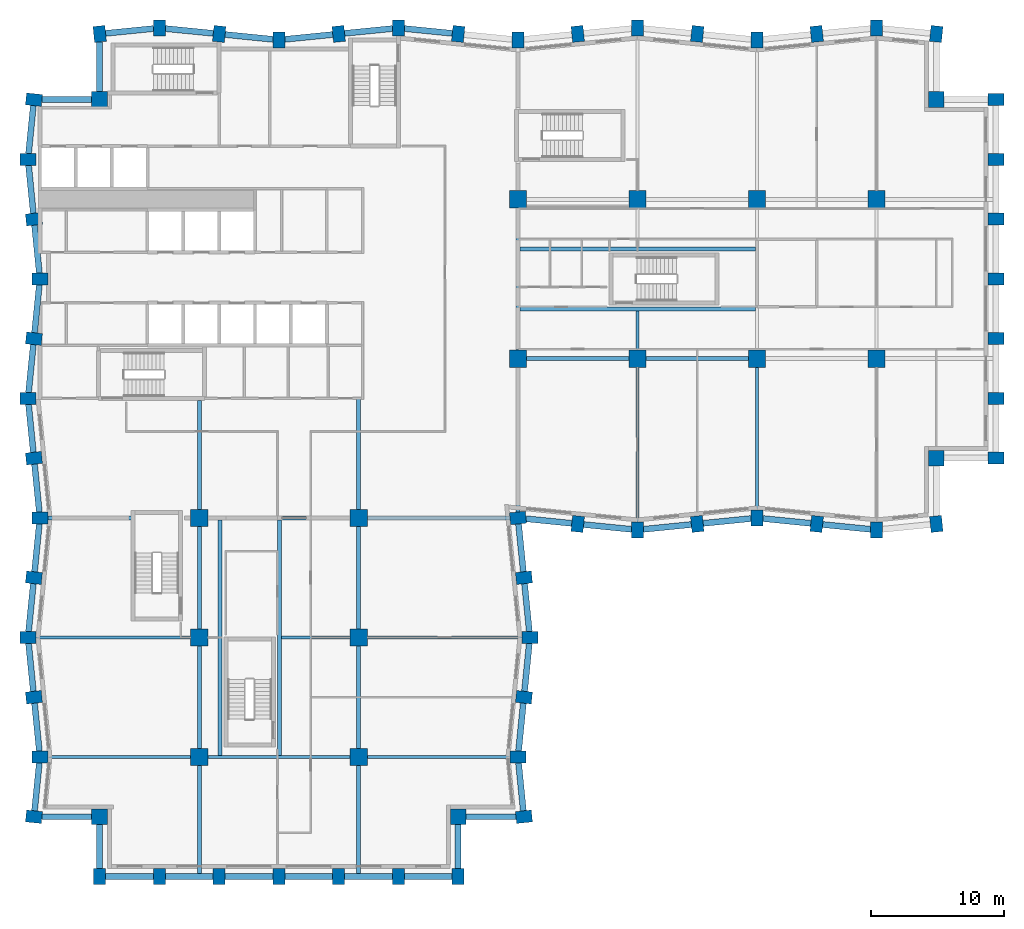
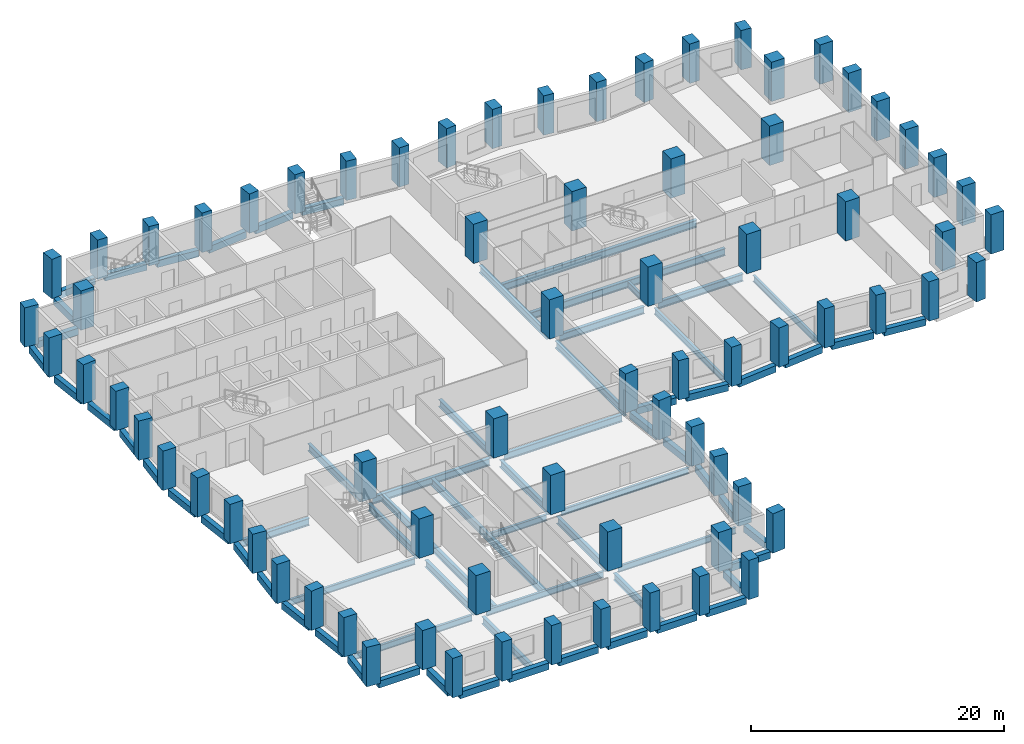
# One storey, part 1 of 11: 74 columns, 69 beams.
"""IFC4 building model written with IfcOpenShell, lengths in metres."""

from ifc_helpers import new_model, si_unit, direction, frame, origin, origin_2d, place, context, subcontext, project, spatial, rectangle, i_section, extrude, material, material_profile, profile_set, type_object, element, save


model = new_model("IFC4")

# Units and contexts
model_context = context("Model", 3, precision=1e-05, world=origin(), true_north=direction((0.0, 1.0)))
body_context = subcontext(model_context, "Body", "Model", "MODEL_VIEW")
ifc_project = project(units=[si_unit("LENGTHUNIT", "METRE"), si_unit("AREAUNIT", "SQUARE_METRE"), si_unit("VOLUMEUNIT", "CUBIC_METRE"), si_unit("PLANEANGLEUNIT", "RADIAN"), si_unit("MASSUNIT", "GRAM", prefix="KILO")], contexts=[model_context])

# Site, building, storey
site_placement = place(None, origin())
site = spatial("IfcSite", under=ifc_project, at=site_placement, CompositionType="ELEMENT")
building_placement = place(site_placement, origin())
building = spatial("IfcBuilding", under=site, at=building_placement, Name="Brondeck Convention Tower", CompositionType="ELEMENT")
storey_placement = place(building_placement, frame((0.0, 0.0, 96.10009765625)))
storey = spatial("IfcBuildingStorey", under=building, at=storey_placement, Name="L22", CompositionType="ELEMENT", Elevation=96.10009765625)

# Columns
ifc_material_1 = material(Name="Concrete C70/85", Category="concrete")
ifc_material_profile_1 = material_profile(ifc_material_1, rectangle(XDim=1.199951171875, YDim=1.199951171875, at=origin_2d()), Name="Corner column 1200x1200 Concrete C70/85")
ifc_profile_set_1 = profile_set([ifc_material_profile_1], Name="Concrete C70/85")
column_type_1 = type_object("IfcColumnType", Name="Corner column 1200x1200 Concrete C70/85", PredefinedType="COLUMN", material=ifc_profile_set_1)
for number, where, z_axis, x_axis, name in (
    (1, (4.5, 4.5, 0.0), (0.0, 0.0, 1.0), (1.0, 0.0, 0.0), "STR-COL-L22-NC-SWB0"),
    (2, (31.5, 4.5, 0.0), (0.0, 0.0, 1.0), (1.0, 0.0, 0.0), "STR-COL-L22-NC-SEB0"),
    (3, (67.5, 31.5, 0.0), (0.0, 0.0, 1.0), (1.0, 0.0, 0.0), "STR-COL-L22-NC-SEA72"),
    (4, (67.5, 58.5, 0.0), (0.0, 0.0, 1.0), (1.0, 0.0, 0.0), "STR-COL-L22-NC-NEA72"),
    (5, (4.5, 58.5, 0.0), (0.0, 0.0, 1.0), (1.0, 0.0, 0.0), "STR-COL-L22-NC-NW"),
):
    element("IfcColumn", number, at=place(storey_placement, frame(where, z_axis=z_axis, x_axis=x_axis)), inside=storey, type_object=column_type_1, Name=name, PredefinedType="COLUMN", context=body_context, shape_type="SweptSolid", body=[
        extrude(rectangle(XDim=1.199951171875, YDim=1.199951171875, at=origin_2d()), origin(), (0.0, 0.0, 1.0), 3.7998046875),
    ])
ifc_material_profile_2 = material_profile(ifc_material_1, rectangle(XDim=1.300048828125, YDim=1.300048828125, at=origin_2d()), Name="Interior column 1300x1300 Concrete C70/85")
ifc_profile_set_2 = profile_set([ifc_material_profile_2], Name="Concrete C70/85")
column_type_2 = type_object("IfcColumnType", Name="Interior column 1300x1300 Concrete C70/85", PredefinedType="COLUMN", material=ifc_profile_set_2)
for number, where, z_axis, x_axis, name in (
    (6, (12.0, 9.0, 0.0), (0.0, 0.0, 1.0), (1.0, 0.0, 0.0), "STR-COL-L22-IC-01"),
    (7, (12.0, 18.0, 0.0), (0.0, 0.0, 1.0), (1.0, 0.0, 0.0), "STR-COL-L22-IC-02"),
    (8, (12.0, 27.0, 0.0), (0.0, 0.0, 1.0), (1.0, 0.0, 0.0), "STR-COL-L22-IC-03"),
    (9, (24.0, 9.0, 0.0), (0.0, 0.0, 1.0), (1.0, 0.0, 0.0), "STR-COL-L22-IC-04"),
    (10, (24.0, 18.0, 0.0), (0.0, 0.0, 1.0), (1.0, 0.0, 0.0), "STR-COL-L22-IC-05"),
    (11, (24.0, 27.0, 0.0), (0.0, 0.0, 1.0), (1.0, 0.0, 0.0), "STR-COL-L22-IC-06"),
    (12, (36.0, 39.0, 0.0), (0.0, 0.0, 1.0), (1.0, 0.0, 0.0), "STR-COL-L22-IC-07"),
    (13, (36.0, 51.0, 0.0), (0.0, 0.0, 1.0), (1.0, 0.0, 0.0), "STR-COL-L22-IC-08"),
    (14, (45.0, 39.0, 0.0), (0.0, 0.0, 1.0), (1.0, 0.0, 0.0), "STR-COL-L22-IC-09"),
    (15, (45.0, 51.0, 0.0), (0.0, 0.0, 1.0), (1.0, 0.0, 0.0), "STR-COL-L22-IC-10"),
    (16, (54.0, 39.0, 0.0), (0.0, 0.0, 1.0), (1.0, 0.0, 0.0), "STR-COL-L22-IC-11"),
    (17, (54.0, 51.0, 0.0), (0.0, 0.0, 1.0), (1.0, 0.0, 0.0), "STR-COL-L22-IC-12"),
    (18, (63.0, 39.0, 0.0), (0.0, 0.0, 1.0), (1.0, 0.0, 0.0), "STR-COL-L22-IC-13"),
    (19, (63.0, 51.0, 0.0), (0.0, 0.0, 1.0), (1.0, 0.0, 0.0), "STR-COL-L22-IC-14"),
):
    element("IfcColumn", number, at=place(storey_placement, frame(where, z_axis=z_axis, x_axis=x_axis)), inside=storey, type_object=column_type_2, Name=name, PredefinedType="COLUMN", context=body_context, shape_type="SweptSolid", body=[
        extrude(rectangle(XDim=1.300048828125, YDim=1.300048828125, at=origin_2d()), origin(), (0.0, 0.0, 1.0), 3.7998046875),
    ])
ifc_material_profile_3 = material_profile(ifc_material_1, rectangle(XDim=0.89990234375, YDim=1.199951171875, at=origin_2d()), Name="Perimeter pier 900x1200 Concrete C70/85")
ifc_profile_set_3 = profile_set([ifc_material_profile_3], Name="Concrete C70/85")
column_type_3 = type_object("IfcColumnType", Name="Perimeter pier 900x1200 Concrete C70/85", PredefinedType="COLUMN", material=ifc_profile_set_3)
for number, where, z_axis, x_axis, name in (
    (20, (4.5, 0.0, 0.0), (0.0, 0.0, 1.0), (1.0, 0.0, 0.0), "STR-COL-L22-PC-B-S0-01"),
    (21, (9.0, 0.0, 0.0), (0.0, 0.0, 1.0), (1.0, 0.0, 0.0), "STR-COL-L22-PC-B-S0-02"),
    (22, (13.5, 0.0, 0.0), (0.0, 0.0, 1.0), (1.0, 0.0, 0.0), "STR-COL-L22-PC-B-S0-03"),
    (23, (18.0, 0.0, 0.0), (0.0, 0.0, 1.0), (1.0, 0.0, 0.0), "STR-COL-L22-PC-B-S0-04"),
    (24, (22.5, 0.0, 0.0), (0.0, 0.0, 1.0), (1.0, 0.0, 0.0), "STR-COL-L22-PC-B-S0-05"),
    (25, (27.0, 0.0, 0.0), (0.0, 0.0, 1.0), (1.0, 0.0, 0.0), "STR-COL-L22-PC-B-S0-06"),
    (26, (31.5, 0.0, 0.0), (0.0, 0.0, 1.0), (1.0, 0.0, 0.0), "STR-COL-L22-PC-B-S0-07"),
    (27, (36.449951171875, 4.5, 0.0), (0.0, 0.0, 1.0), (-0.0995038382, 0.995037178292, 0.0), "STR-COL-L22-PC-B-E-05"),
    (28, (36.0, 9.0, 0.0), (0.0, 0.0, 1.0), (0.0, 1.0, 0.0), "STR-COL-L22-PC-B-E-04"),
    (29, (36.449951171875, 13.5, 0.0), (0.0, 0.0, 1.0), (0.0995038382, 0.995037178292, 0.0), "STR-COL-L22-PC-B-E-03"),
    (30, (36.89990234375, 18.0, 0.0), (0.0, 0.0, 1.0), (0.0, 1.0, 0.0), "STR-COL-L22-PC-B-E-02"),
    (31, (36.449951171875, 22.5, 0.0), (0.0, 0.0, 1.0), (-0.0995038382, 0.995037178292, 0.0), "STR-COL-L22-PC-B-E-01"),
    (32, (36.0, 27.0, 0.0), (0.0, 0.0, 1.0), (-0.0995038382, 0.995037178292, 0.0), "STR-COL-L22-PC-B-E-00"),
    (33, (40.5, 26.550048828125, 0.0), (0.0, 0.0, 1.0), (0.995037178292, -0.0995038382, 0.0), "STR-COL-L22-PC-A-S-01"),
    (34, (45.0, 26.10009765625, 0.0), (0.0, 0.0, 1.0), (1.0, 0.0, 0.0), "STR-COL-L22-PC-A-S-02"),
    (35, (49.5, 26.550048828125, 0.0), (0.0, 0.0, 1.0), (0.995037178292, 0.0995038382, 0.0), "STR-COL-L22-PC-A-S-03"),
    (36, (54.0, 27.0, 0.0), (0.0, 0.0, 1.0), (1.0, 0.0, 0.0), "STR-COL-L22-PC-A-S-04"),
    (37, (58.5, 26.550048828125, 0.0), (0.0, 0.0, 1.0), (0.995037178292, -0.0995038382, 0.0), "STR-COL-L22-PC-A-S-05"),
    (38, (63.0, 26.10009765625, 0.0), (0.0, 0.0, 1.0), (1.0, 0.0, 0.0), "STR-COL-L22-PC-A-S-06"),
    (39, (67.5, 26.550048828125, 0.0), (0.0, 0.0, 1.0), (0.995037178292, 0.0995038382, 0.0), "STR-COL-L22-PC-A-S-07"),
    (40, (72.0, 31.5, 0.0), (0.0, 0.0, 1.0), (0.0, 1.0, 0.0), "STR-COL-L22-PC-A-E72-01"),
    (41, (72.0, 36.0, 0.0), (0.0, 0.0, 1.0), (0.0, 1.0, 0.0), "STR-COL-L22-PC-A-E72-02"),
    (42, (72.0, 40.5, 0.0), (0.0, 0.0, 1.0), (0.0, 1.0, 0.0), "STR-COL-L22-PC-A-E72-03"),
    (43, (72.0, 45.0, 0.0), (0.0, 0.0, 1.0), (0.0, 1.0, 0.0), "STR-COL-L22-PC-A-E72-04"),
    (44, (72.0, 49.5, 0.0), (0.0, 0.0, 1.0), (0.0, 1.0, 0.0), "STR-COL-L22-PC-A-E72-05"),
    (45, (72.0, 54.0, 0.0), (0.0, 0.0, 1.0), (0.0, 1.0, 0.0), "STR-COL-L22-PC-A-E72-06"),
    (46, (72.0, 58.5, 0.0), (0.0, 0.0, 1.0), (0.0, 1.0, 0.0), "STR-COL-L22-PC-A-E72-07"),
    (47, (67.5, 63.449951171875, 0.0), (0.0, 0.0, 1.0), (-0.995037178292, 0.0995038382, 0.0), "STR-COL-L22-PC-A-N-15"),
    (48, (63.0, 63.89990234375, 0.0), (0.0, 0.0, 1.0), (-1.0, 0.0, 0.0), "STR-COL-L22-PC-A-N-14"),
    (49, (58.5, 63.449951171875, 0.0), (0.0, 0.0, 1.0), (-0.995037178292, -0.0995038382, 0.0), "STR-COL-L22-PC-A-N-13"),
    (50, (54.0, 63.0, 0.0), (0.0, 0.0, 1.0), (-1.0, 0.0, 0.0), "STR-COL-L22-PC-A-N-12"),
    (51, (49.5, 63.449951171875, 0.0), (0.0, 0.0, 1.0), (-0.995037178292, 0.0995038382, 0.0), "STR-COL-L22-PC-A-N-11"),
    (52, (45.0, 63.89990234375, 0.0), (0.0, 0.0, 1.0), (-1.0, 0.0, 0.0), "STR-COL-L22-PC-A-N-10"),
    (53, (40.5, 63.449951171875, 0.0), (0.0, 0.0, 1.0), (-0.995037178292, -0.0995038382, 0.0), "STR-COL-L22-PC-A-N-09"),
    (54, (36.0, 63.0, 0.0), (0.0, 0.0, 1.0), (-1.0, 0.0, 0.0), "STR-COL-L22-PC-A-N-08"),
    (55, (31.5, 63.449951171875, 0.0), (0.0, 0.0, 1.0), (-0.995037178292, 0.0995038382, 0.0), "STR-COL-L22-PC-A-N-07"),
    (56, (27.0, 63.89990234375, 0.0), (0.0, 0.0, 1.0), (-1.0, 0.0, 0.0), "STR-COL-L22-PC-A-N-06"),
    (57, (22.5, 63.449951171875, 0.0), (0.0, 0.0, 1.0), (-0.995037178292, -0.0995038382, 0.0), "STR-COL-L22-PC-A-N-05"),
    (58, (18.0, 63.0, 0.0), (0.0, 0.0, 1.0), (-1.0, 0.0, 0.0), "STR-COL-L22-PC-A-N-04"),
    (59, (13.5, 63.449951171875, 0.0), (0.0, 0.0, 1.0), (-0.995037178292, 0.0995038382, 0.0), "STR-COL-L22-PC-A-N-03"),
    (60, (9.0, 63.89990234375, 0.0), (0.0, 0.0, 1.0), (-1.0, 0.0, 0.0), "STR-COL-L22-PC-A-N-02"),
    (61, (4.5, 63.449951171875, 0.0), (0.0, 0.0, 1.0), (-0.995037178292, -0.0995038382, 0.0), "STR-COL-L22-PC-A-N-01"),
    (62, (-0.449951171875, 58.5, 0.0), (0.0, 0.0, 1.0), (-0.0995038382, -0.995037178292, 0.0), "STR-COL-L22-PC-B-W-01"),
    (63, (-0.89990234375, 54.0, 0.0), (0.0, 0.0, 1.0), (0.0, -1.0, 0.0), "STR-COL-L22-PC-B-W-02"),
    (64, (-0.449951171875, 49.5, 0.0), (0.0, 0.0, 1.0), (0.0995038382, -0.995037178292, 0.0), "STR-COL-L22-PC-B-W-03"),
    (65, (0.0, 45.0, 0.0), (0.0, 0.0, 1.0), (0.0, -1.0, 0.0), "STR-COL-L22-PC-B-W-04"),
    (66, (-0.449951171875, 40.5, 0.0), (0.0, 0.0, 1.0), (-0.0995038382, -0.995037178292, 0.0), "STR-COL-L22-PC-B-W-05"),
    (67, (-0.89990234375, 36.0, 0.0), (0.0, 0.0, 1.0), (0.0, -1.0, 0.0), "STR-COL-L22-PC-B-W-06"),
    (68, (-0.449951171875, 31.5, 0.0), (0.0, 0.0, 1.0), (0.0995038382, -0.995037178292, 0.0), "STR-COL-L22-PC-B-W-07"),
    (69, (0.0, 27.0, 0.0), (0.0, 0.0, 1.0), (0.0, -1.0, 0.0), "STR-COL-L22-PC-B-W-08"),
    (70, (-0.449951171875, 22.5, 0.0), (0.0, 0.0, 1.0), (-0.0995038382, -0.995037178292, 0.0), "STR-COL-L22-PC-B-W-09"),
    (71, (-0.89990234375, 18.0, 0.0), (0.0, 0.0, 1.0), (0.0, -1.0, 0.0), "STR-COL-L22-PC-B-W-10"),
    (72, (-0.449951171875, 13.5, 0.0), (0.0, 0.0, 1.0), (0.0995038382, -0.995037178292, 0.0), "STR-COL-L22-PC-B-W-11"),
    (73, (0.0, 9.0, 0.0), (0.0, 0.0, 1.0), (0.0, -1.0, 0.0), "STR-COL-L22-PC-B-W-12"),
    (74, (-0.449951171875, 4.5, 0.0), (0.0, 0.0, 1.0), (-0.0995038382, -0.995037178292, 0.0), "STR-COL-L22-PC-B-W-13"),
):
    element("IfcColumn", number, at=place(storey_placement, frame(where, z_axis=z_axis, x_axis=x_axis)), inside=storey, type_object=column_type_3, Name=name, PredefinedType="COLUMN", context=body_context, shape_type="SweptSolid", body=[
        extrude(rectangle(XDim=0.89990234375, YDim=1.199951171875, at=origin_2d()), origin(), (0.0, 0.0, 1.0), 3.7998046875),
    ])

# Beams
ifc_material_2 = material(Name="Steel S355", Category="steel")
ifc_material_profile_4 = material_profile(ifc_material_2, i_section(OverallWidth=0.219970703125, OverallDepth=0.60009765625, WebThickness=0.011962890625, FlangeThickness=0.01904296875, FilletRadius=0.02392578125, at=origin_2d()), Name="IPE 600")
ifc_profile_set_4 = profile_set([ifc_material_profile_4], Name="Steel S355")
beam_type_1 = type_object("IfcBeamType", Name="Floor beam IPE 600", PredefinedType="BEAM", material=ifc_profile_set_4)
beam_1_placement = place(storey_placement, frame((45.0, 26.699951171875, -0.60009765625), z_axis=(0.0, 1.0, 0.0), x_axis=(-1.0, 0.0, 0.0)))
element("IfcBeam", 75, at=beam_1_placement, inside=storey, type_object=beam_type_1, Name="STR-FB-L22-001", PredefinedType="BEAM", context=body_context, shape_type="SweptSolid", body=[
    extrude(i_section(OverallWidth=0.219970703125, OverallDepth=0.60009765625, WebThickness=0.011962890625, FlangeThickness=0.01904296875, FilletRadius=0.02392578125, at=origin_2d()), origin(), (0.0, 0.0, 1.0), 11.650146484375),
])
for number, where, z_axis, x_axis, name in (
    (76, (54.0, 27.60009765625, -0.60009765625), (0.0, 1.0, 0.0), (-1.0, 0.0, 0.0), "STR-FB-L22-003"),
    (77, (0.60009765625, 9.0, -0.60009765625), (1.0, 0.0, 0.0), (0.0, 1.0, 0.0), "STR-FB-L22-009"),
):
    element("IfcBeam", number, at=place(storey_placement, frame(where, z_axis=z_axis, x_axis=x_axis)), inside=storey, type_object=beam_type_1, Name=name, PredefinedType="BEAM", context=body_context, shape_type="SweptSolid", body=[
        extrude(i_section(OverallWidth=0.219970703125, OverallDepth=0.60009765625, WebThickness=0.011962890625, FlangeThickness=0.01904296875, FilletRadius=0.02392578125, at=origin_2d()), origin(), (0.0, 0.0, 1.0), 10.75),
    ])
beam_2_placement = place(storey_placement, frame((12.64990234375, 9.0, -0.60009765625), z_axis=(1.0, 0.0, 0.0), x_axis=(0.0, 1.0, 0.0)))
element("IfcBeam", 78, at=beam_2_placement, inside=storey, type_object=beam_type_1, Name="STR-FB-L22-010", PredefinedType="BEAM", context=body_context, shape_type="SweptSolid", body=[
    extrude(i_section(OverallWidth=0.219970703125, OverallDepth=0.60009765625, WebThickness=0.011962890625, FlangeThickness=0.01904296875, FilletRadius=0.02392578125, at=origin_2d()), origin(), (0.0, 0.0, 1.0), 10.7001953125),
])
beam_3_placement = place(storey_placement, frame((24.64990234375, 9.0, -0.60009765625), z_axis=(1.0, 0.0, 0.0), x_axis=(0.0, 1.0, 0.0)))
element("IfcBeam", 79, at=beam_3_placement, inside=storey, type_object=beam_type_1, Name="STR-FB-L22-011", PredefinedType="BEAM", context=body_context, shape_type="SweptSolid", body=[
    extrude(i_section(OverallWidth=0.219970703125, OverallDepth=0.60009765625, WebThickness=0.011962890625, FlangeThickness=0.01904296875, FilletRadius=0.02392578125, at=origin_2d()), origin(), (0.0, 0.0, 1.0), 10.75),
])
for number, where, z_axis, x_axis, name in (
    (80, (-0.300048828125, 18.0, -0.60009765625), (1.0, 0.0, 0.0), (0.0, 1.0, 0.0), "STR-FB-L22-012"),
    (81, (24.64990234375, 18.0, -0.60009765625), (1.0, 0.0, 0.0), (0.0, 1.0, 0.0), "STR-FB-L22-013"),
):
    element("IfcBeam", number, at=place(storey_placement, frame(where, z_axis=z_axis, x_axis=x_axis)), inside=storey, type_object=beam_type_1, Name=name, PredefinedType="BEAM", context=body_context, shape_type="SweptSolid", body=[
        extrude(i_section(OverallWidth=0.219970703125, OverallDepth=0.60009765625, WebThickness=0.011962890625, FlangeThickness=0.01904296875, FilletRadius=0.02392578125, at=origin_2d()), origin(), (0.0, 0.0, 1.0), 11.650146484375),
    ])
beam_4_placement = place(storey_placement, frame((45.0, 39.64990234375, -0.60009765625), z_axis=(0.0, 1.0, 0.0), x_axis=(-1.0, 0.0, 0.0)))
element("IfcBeam", 82, at=beam_4_placement, inside=storey, type_object=beam_type_1, Name="STR-FB-L22-014", PredefinedType="BEAM", context=body_context, shape_type="SweptSolid", body=[
    extrude(i_section(OverallWidth=0.219970703125, OverallDepth=0.60009765625, WebThickness=0.011962890625, FlangeThickness=0.01904296875, FilletRadius=0.02392578125, at=origin_2d()), origin(), (0.0, 0.0, 1.0), 2.9501953125),
])
beam_5_placement = place(storey_placement, frame((18.199951171875, 18.0, -0.60009765625), z_axis=(1.0, 0.0, 0.0), x_axis=(0.0, 1.0, 0.0)))
element("IfcBeam", 83, at=beam_5_placement, inside=storey, type_object=beam_type_1, Name="STR-FB-L22-016", PredefinedType="BEAM", context=body_context, shape_type="SweptSolid", body=[
    extrude(i_section(OverallWidth=0.219970703125, OverallDepth=0.60009765625, WebThickness=0.011962890625, FlangeThickness=0.01904296875, FilletRadius=0.02392578125, at=origin_2d()), origin(), (0.0, 0.0, 1.0), 5.150146484375),
])
ifc_material_profile_5 = material_profile(ifc_material_2, i_section(OverallWidth=0.300048828125, OverallDepth=0.699951171875, WebThickness=0.01708984375, FlangeThickness=0.031982421875, FilletRadius=0.027099609375, at=origin_2d()), Name="HEB 700")
ifc_profile_set_5 = profile_set([ifc_material_profile_5], Name="Steel S355")
beam_type_2 = type_object("IfcBeamType", Name="Girder HEB 700", PredefinedType="BEAM", material=ifc_profile_set_5)
for number, where, z_axis, x_axis, name in (
    (84, (36.64990234375, 39.0, -0.650146484375), (1.0, 0.0, 0.0), (0.0, 1.0, 0.0), "STR-GR-L22-001"),
    (85, (45.64990234375, 39.0, -0.650146484375), (1.0, 0.0, 0.0), (0.0, 1.0, 0.0), "STR-GR-L22-002"),
):
    element("IfcBeam", number, at=place(storey_placement, frame(where, z_axis=z_axis, x_axis=x_axis)), inside=storey, type_object=beam_type_2, Name=name, PredefinedType="BEAM", context=body_context, shape_type="SweptSolid", body=[
        extrude(i_section(OverallWidth=0.300048828125, OverallDepth=0.699951171875, WebThickness=0.01708984375, FlangeThickness=0.031982421875, FilletRadius=0.027099609375, at=origin_2d()), origin(), (0.0, 0.0, 1.0), 7.7001953125),
    ])
beam_6_placement = place(storey_placement, frame((36.0, 27.4521484375, -0.650146484375), z_axis=(0.0, 1.0, 0.0), x_axis=(-1.0, 0.0, 0.0)))
element("IfcBeam", 86, at=beam_6_placement, inside=storey, type_object=beam_type_2, Name="STR-GR-L22-009", PredefinedType="BEAM", context=body_context, shape_type="SweptSolid", body=[
    extrude(i_section(OverallWidth=0.300048828125, OverallDepth=0.699951171875, WebThickness=0.01708984375, FlangeThickness=0.031982421875, FilletRadius=0.027099609375, at=origin_2d()), origin(), (0.0, 0.0, 1.0), 10.89794921875),
])
beam_7_placement = place(storey_placement, frame((36.0, 39.64990234375, -0.650146484375), z_axis=(0.0, 1.0, 0.0), x_axis=(-1.0, 0.0, 0.0)))
element("IfcBeam", 87, at=beam_7_placement, inside=storey, type_object=beam_type_2, Name="STR-GR-L22-010", PredefinedType="BEAM", context=body_context, shape_type="SweptSolid", body=[
    extrude(i_section(OverallWidth=0.300048828125, OverallDepth=0.699951171875, WebThickness=0.01708984375, FlangeThickness=0.031982421875, FilletRadius=0.027099609375, at=origin_2d()), origin(), (0.0, 0.0, 1.0), 10.7001953125),
])
beam_8_placement = place(storey_placement, frame((12.0, 35.85009765625, -0.650146484375), z_axis=(0.0, -1.0, 0.0), x_axis=(1.0, 0.0, 0.0)))
element("IfcBeam", 88, at=beam_8_placement, inside=storey, type_object=beam_type_2, Name="STR-GR-L22-013", PredefinedType="BEAM", context=body_context, shape_type="SweptSolid", body=[
    extrude(i_section(OverallWidth=0.300048828125, OverallDepth=0.699951171875, WebThickness=0.01708984375, FlangeThickness=0.031982421875, FilletRadius=0.027099609375, at=origin_2d()), origin(), (0.0, 0.0, 1.0), 8.2001953125),
])
for number, where, z_axis, x_axis, name in (
    (89, (12.0, 26.35009765625, -0.650146484375), (0.0, -1.0, 0.0), (1.0, 0.0, 0.0), "STR-GR-L22-014"),
    (90, (12.0, 17.35009765625, -0.650146484375), (0.0, -1.0, 0.0), (1.0, 0.0, 0.0), "STR-GR-L22-015"),
):
    element("IfcBeam", number, at=place(storey_placement, frame(where, z_axis=z_axis, x_axis=x_axis)), inside=storey, type_object=beam_type_2, Name=name, PredefinedType="BEAM", context=body_context, shape_type="SweptSolid", body=[
        extrude(i_section(OverallWidth=0.300048828125, OverallDepth=0.699951171875, WebThickness=0.01708984375, FlangeThickness=0.031982421875, FilletRadius=0.027099609375, at=origin_2d()), origin(), (0.0, 0.0, 1.0), 7.7001953125),
    ])
beam_9_placement = place(storey_placement, frame((12.0, 8.35009765625, -0.650146484375), z_axis=(0.0, -1.0, 0.0), x_axis=(1.0, 0.0, 0.0)))
element("IfcBeam", 91, at=beam_9_placement, inside=storey, type_object=beam_type_2, Name="STR-GR-L22-016", PredefinedType="BEAM", context=body_context, shape_type="SweptSolid", body=[
    extrude(i_section(OverallWidth=0.300048828125, OverallDepth=0.699951171875, WebThickness=0.01708984375, FlangeThickness=0.031982421875, FilletRadius=0.027099609375, at=origin_2d()), origin(), (0.0, 0.0, 1.0), 8.125),
])
beam_10_placement = place(storey_placement, frame((24.0, 35.955078125, -0.650146484375), z_axis=(0.0, -1.0, 0.0), x_axis=(1.0, 0.0, 0.0)))
element("IfcBeam", 92, at=beam_10_placement, inside=storey, type_object=beam_type_2, Name="STR-GR-L22-017", PredefinedType="BEAM", context=body_context, shape_type="SweptSolid", body=[
    extrude(i_section(OverallWidth=0.300048828125, OverallDepth=0.699951171875, WebThickness=0.01708984375, FlangeThickness=0.031982421875, FilletRadius=0.027099609375, at=origin_2d()), origin(), (0.0, 0.0, 1.0), 8.30517578125),
])
for number, where, z_axis, x_axis, name in (
    (93, (24.0, 26.35009765625, -0.650146484375), (0.0, -1.0, 0.0), (1.0, 0.0, 0.0), "STR-GR-L22-018"),
    (94, (24.0, 17.35009765625, -0.650146484375), (0.0, -1.0, 0.0), (1.0, 0.0, 0.0), "STR-GR-L22-019"),
):
    element("IfcBeam", number, at=place(storey_placement, frame(where, z_axis=z_axis, x_axis=x_axis)), inside=storey, type_object=beam_type_2, Name=name, PredefinedType="BEAM", context=body_context, shape_type="SweptSolid", body=[
        extrude(i_section(OverallWidth=0.300048828125, OverallDepth=0.699951171875, WebThickness=0.01708984375, FlangeThickness=0.031982421875, FilletRadius=0.027099609375, at=origin_2d()), origin(), (0.0, 0.0, 1.0), 7.7001953125),
    ])
beam_11_placement = place(storey_placement, frame((24.0, 8.35009765625, -0.650146484375), z_axis=(0.0, -1.0, 0.0), x_axis=(1.0, 0.0, 0.0)))
element("IfcBeam", 95, at=beam_11_placement, inside=storey, type_object=beam_type_2, Name="STR-GR-L22-020", PredefinedType="BEAM", context=body_context, shape_type="SweptSolid", body=[
    extrude(i_section(OverallWidth=0.300048828125, OverallDepth=0.699951171875, WebThickness=0.01708984375, FlangeThickness=0.031982421875, FilletRadius=0.027099609375, at=origin_2d()), origin(), (0.0, 0.0, 1.0), 8.125),
])
beam_12_placement = place(storey_placement, frame((0.60009765625, 27.0, -0.650146484375), z_axis=(1.0, 0.0, 0.0), x_axis=(0.0, 1.0, 0.0)))
element("IfcBeam", 96, at=beam_12_placement, inside=storey, type_object=beam_type_2, Name="STR-GR-L22-021", PredefinedType="BEAM", context=body_context, shape_type="SweptSolid", body=[
    extrude(i_section(OverallWidth=0.300048828125, OverallDepth=0.699951171875, WebThickness=0.01708984375, FlangeThickness=0.031982421875, FilletRadius=0.027099609375, at=origin_2d()), origin(), (0.0, 0.0, 1.0), 6.27978515625),
])
beam_13_placement = place(storey_placement, frame((12.64990234375, 27.0, -0.650146484375), z_axis=(1.0, 0.0, 0.0), x_axis=(0.0, 1.0, 0.0)))
element("IfcBeam", 97, at=beam_13_placement, inside=storey, type_object=beam_type_2, Name="STR-GR-L22-022", PredefinedType="BEAM", context=body_context, shape_type="SweptSolid", body=[
    extrude(i_section(OverallWidth=0.300048828125, OverallDepth=0.699951171875, WebThickness=0.01708984375, FlangeThickness=0.031982421875, FilletRadius=0.027099609375, at=origin_2d()), origin(), (0.0, 0.0, 1.0), 10.7001953125),
])
beam_14_placement = place(storey_placement, frame((24.64990234375, 27.0, -0.650146484375), z_axis=(1.0, 0.0, 0.0), x_axis=(0.0, 1.0, 0.0)))
element("IfcBeam", 98, at=beam_14_placement, inside=storey, type_object=beam_type_2, Name="STR-GR-L22-023", PredefinedType="BEAM", context=body_context, shape_type="SweptSolid", body=[
    extrude(i_section(OverallWidth=0.300048828125, OverallDepth=0.699951171875, WebThickness=0.01708984375, FlangeThickness=0.031982421875, FilletRadius=0.027099609375, at=origin_2d()), origin(), (0.0, 0.0, 1.0), 10.7470703125),
])
for number, where, z_axis, x_axis, name in (
    (99, (36.14990234375, 42.75, -0.650146484375), (1.0, 0.0, 0.0), (0.0, 1.0, 0.0), "STR-GR-L22-024"),
    (100, (36.14990234375, 47.25, -0.650146484375), (1.0, 0.0, 0.0), (0.0, 1.0, 0.0), "STR-GR-L22-025"),
    (101, (13.550048828125, 9.110107421875, -0.650146484375), (0.0, 1.0, 0.0), (-1.0, 0.0, 0.0), "STR-GR-L22-026"),
    (102, (18.050048828125, 9.110107421875, -0.650146484375), (0.0, 1.0, 0.0), (-1.0, 0.0, 0.0), "STR-GR-L22-027"),
):
    element("IfcBeam", number, at=place(storey_placement, frame(where, z_axis=z_axis, x_axis=x_axis)), inside=storey, type_object=beam_type_2, Name=name, PredefinedType="BEAM", context=body_context, shape_type="SweptSolid", body=[
        extrude(i_section(OverallWidth=0.300048828125, OverallDepth=0.699951171875, WebThickness=0.01708984375, FlangeThickness=0.031982421875, FilletRadius=0.027099609375, at=origin_2d()), origin(), (0.0, 0.0, 1.0), 17.739990234375),
    ])
ifc_material_profile_6 = material_profile(ifc_material_1, rectangle(XDim=0.449951171875, YDim=0.64990234375, at=origin_2d()), Name="Precast spandrel 450x650 Concrete C70/85")
ifc_profile_set_6 = profile_set([ifc_material_profile_6], Name="Concrete C70/85")
beam_type_3 = type_object("IfcBeamType", Name="Precast spandrel 450x650 Concrete C70/85", PredefinedType="SPANDREL", material=ifc_profile_set_6)
for number, where, z_axis, x_axis, name in (
    (103, (4.949951171875, 0.0, -0.3251953125), (1.0, 0.0, 0.0), (0.0, 1.0, 0.0), "STR-SP-L22-001"),
    (104, (9.449951171875, 0.0, -0.3251953125), (1.0, 0.0, 0.0), (0.0, 1.0, 0.0), "STR-SP-L22-002"),
    (105, (13.949951171875, 0.0, -0.3251953125), (1.0, 0.0, 0.0), (0.0, 1.0, 0.0), "STR-SP-L22-003"),
    (106, (18.449951171875, 0.0, -0.3251953125), (1.0, 0.0, 0.0), (0.0, 1.0, 0.0), "STR-SP-L22-004"),
    (107, (22.949951171875, 0.0, -0.3251953125), (1.0, 0.0, 0.0), (0.0, 1.0, 0.0), "STR-SP-L22-005"),
    (108, (27.449951171875, 0.0, -0.3251953125), (1.0, 0.0, 0.0), (0.0, 1.0, 0.0), "STR-SP-L22-006"),
):
    element("IfcBeam", number, at=place(storey_placement, frame(where, z_axis=z_axis, x_axis=x_axis)), inside=storey, type_object=beam_type_3, Name=name, PredefinedType="SPANDREL", context=body_context, shape_type="SweptSolid", body=[
        extrude(rectangle(XDim=0.449951171875, YDim=0.64990234375, at=origin_2d()), origin(), (0.0, 0.0, 1.0), 3.60009765625),
    ])
beam_15_placement = place(storey_placement, frame((31.5, 0.60009765625, -0.3251953125), z_axis=(0.0, 1.0, 0.0), x_axis=(-1.0, 0.0, 0.0)))
element("IfcBeam", 109, at=beam_15_placement, inside=storey, type_object=beam_type_3, Name="STR-SP-L22-007", PredefinedType="SPANDREL", context=body_context, shape_type="SweptSolid", body=[
    extrude(rectangle(XDim=0.449951171875, YDim=0.64990234375, at=origin_2d()), origin(), (0.0, 0.0, 1.0), 3.2998046875),
])
beam_16_placement = place(storey_placement, frame((32.10009765625, 4.5, -0.3251953125), z_axis=(1.0, 0.0, 0.0), x_axis=(0.0, 1.0, 0.0)))
element("IfcBeam", 110, at=beam_16_placement, inside=storey, type_object=beam_type_3, Name="STR-SP-L22-008", PredefinedType="SPANDREL", context=body_context, shape_type="SweptSolid", body=[
    extrude(rectangle(XDim=0.449951171875, YDim=0.64990234375, at=origin_2d()), origin(), (0.0, 0.0, 1.0), 3.746826171875),
])
for number, where, z_axis, x_axis, name in (
    (111, (36.4052734375, 4.94775390625, -0.3251953125), (-0.099537103649, 0.995033851182, 0.0), (-0.995033851182, -0.099537103649, 0.0), "STR-SP-L22-009"),
    (112, (36.044921875, 9.449951171875, -0.3251953125), (0.099537103649, 0.995033851182, 0.0), (-0.995033851182, 0.099537103649, 0.0), "STR-SP-L22-010"),
    (113, (36.494873046875, 13.94775390625, -0.3251953125), (0.099470334057, 0.995040528141, 0.0), (-0.995040528141, 0.099470334057, 0.0), "STR-SP-L22-011"),
    (114, (36.85498046875, 18.449951171875, -0.3251953125), (-0.099470334057, 0.995040528141, 0.0), (-0.995040528141, -0.099470334057, 0.0), "STR-SP-L22-012"),
):
    element("IfcBeam", number, at=place(storey_placement, frame(where, z_axis=z_axis, x_axis=x_axis)), inside=storey, type_object=beam_type_3, Name=name, PredefinedType="SPANDREL", context=body_context, shape_type="SweptSolid", body=[
        extrude(rectangle(XDim=0.449951171875, YDim=0.64990234375, at=origin_2d()), origin(), (0.0, 0.0, 1.0), 3.620361328125),
    ])
beam_17_placement = place(storey_placement, frame((36.4052734375, 22.94775390625, -0.3251953125), z_axis=(-0.099543756114, 0.995033185687, 0.0), x_axis=(-0.995033185687, -0.099543756114, 0.0)))
element("IfcBeam", 115, at=beam_17_placement, inside=storey, type_object=beam_type_3, Name="STR-SP-L22-013", PredefinedType="SPANDREL", context=body_context, shape_type="SweptSolid", body=[
    extrude(rectangle(XDim=0.449951171875, YDim=0.64990234375, at=origin_2d()), origin(), (0.0, 0.0, 1.0), 3.62255859375),
])
beam_18_placement = place(storey_placement, frame((36.609130859375, 26.939208984375, -0.3251953125), z_axis=(0.995032299082, -0.099552618167, 0.0), x_axis=(0.099552618167, 0.995032299082, 0.0)))
element("IfcBeam", 116, at=beam_18_placement, inside=storey, type_object=beam_type_3, Name="STR-SP-L22-014", PredefinedType="SPANDREL", context=body_context, shape_type="SweptSolid", body=[
    extrude(rectangle(XDim=0.449951171875, YDim=0.64990234375, at=origin_2d()), origin(), (0.0, 0.0, 1.0), 3.460205078125),
])
for number, where, z_axis, x_axis, name in (
    (117, (40.94775390625, 26.505126953125, -0.3251953125), (0.995040528141, -0.099470334057, 0.0), (0.099470334057, 0.995040528141, 0.0), "STR-SP-L22-015"),
    (118, (45.449951171875, 26.14501953125, -0.3251953125), (0.995040528141, 0.099470334057, 0.0), (-0.099470334057, 0.995040528141, 0.0), "STR-SP-L22-016"),
    (119, (49.94775390625, 26.5947265625, -0.3251953125), (0.995033851182, 0.099537103649, 0.0), (-0.099537103649, 0.995033851182, 0.0), "STR-SP-L22-017"),
    (120, (54.449951171875, 26.955078125, -0.3251953125), (0.995033851182, -0.099537103649, 0.0), (0.099537103649, 0.995033851182, 0.0), "STR-SP-L22-018"),
    (121, (58.94775390625, 26.505126953125, -0.3251953125), (0.995040528141, -0.099470334057, 0.0), (0.099470334057, 0.995040528141, 0.0), "STR-SP-L22-019"),
    (122, (31.05224609375, 63.494873046875, -0.3251953125), (-0.995040528141, 0.099470334057, 0.0), (-0.099470334057, -0.995040528141, 0.0), "STR-SP-L22-039"),
    (123, (26.550048828125, 63.85498046875, -0.3251953125), (-0.995040528141, -0.099470334057, 0.0), (0.099470334057, -0.995040528141, 0.0), "STR-SP-L22-040"),
    (124, (22.05224609375, 63.4052734375, -0.3251953125), (-0.995033851182, -0.099537103649, 0.0), (0.099537103649, -0.995033851182, 0.0), "STR-SP-L22-041"),
    (125, (17.550048828125, 63.044921875, -0.3251953125), (-0.995033851182, 0.099537103649, 0.0), (-0.099537103649, -0.995033851182, 0.0), "STR-SP-L22-042"),
    (126, (13.05224609375, 63.494873046875, -0.3251953125), (-0.995040528141, 0.099470334057, 0.0), (-0.099470334057, -0.995040528141, 0.0), "STR-SP-L22-043"),
    (127, (8.550048828125, 63.85498046875, -0.3251953125), (-0.995040528141, -0.099470334057, 0.0), (0.099470334057, -0.995040528141, 0.0), "STR-SP-L22-044"),
):
    element("IfcBeam", number, at=place(storey_placement, frame(where, z_axis=z_axis, x_axis=x_axis)), inside=storey, type_object=beam_type_3, Name=name, PredefinedType="SPANDREL", context=body_context, shape_type="SweptSolid", body=[
        extrude(rectangle(XDim=0.449951171875, YDim=0.64990234375, at=origin_2d()), origin(), (0.0, 0.0, 1.0), 3.620361328125),
    ])
for number, where, z_axis, x_axis, name in (
    (128, (4.5, 62.846923828125, -0.3251953125), (0.0, -1.0, 0.0), (1.0, 0.0, 0.0), "STR-SP-L22-045"),
    (129, (3.89990234375, 58.5, -0.3251953125), (-1.0, 0.0, 0.0), (0.0, -1.0, 0.0), "STR-SP-L22-046"),
):
    element("IfcBeam", number, at=place(storey_placement, frame(where, z_axis=z_axis, x_axis=x_axis)), inside=storey, type_object=beam_type_3, Name=name, PredefinedType="SPANDREL", context=body_context, shape_type="SweptSolid", body=[
        extrude(rectangle(XDim=0.449951171875, YDim=0.64990234375, at=origin_2d()), origin(), (0.0, 0.0, 1.0), 3.746826171875),
    ])
for number, where, z_axis, x_axis, name in (
    (130, (-0.494873046875, 58.05224609375, -0.3251953125), (-0.099470334057, -0.995040528141, 0.0), (0.995040528141, -0.099470334057, 0.0), "STR-SP-L22-047"),
    (131, (-0.85498046875, 53.550048828125, -0.3251953125), (0.099470334057, -0.995040528141, 0.0), (0.995040528141, 0.099470334057, 0.0), "STR-SP-L22-048"),
    (132, (-0.4052734375, 49.05224609375, -0.3251953125), (0.099537103649, -0.995033851182, 0.0), (0.995033851182, 0.099537103649, 0.0), "STR-SP-L22-049"),
    (133, (-0.044921875, 44.550048828125, -0.3251953125), (-0.099537103649, -0.995033851182, 0.0), (0.995033851182, -0.099537103649, 0.0), "STR-SP-L22-050"),
    (134, (-0.494873046875, 40.05224609375, -0.3251953125), (-0.099470334057, -0.995040528141, 0.0), (0.995040528141, -0.099470334057, 0.0), "STR-SP-L22-051"),
    (135, (-0.85498046875, 35.550048828125, -0.3251953125), (0.099470334057, -0.995040528141, 0.0), (0.995040528141, 0.099470334057, 0.0), "STR-SP-L22-052"),
    (136, (-0.4052734375, 31.05224609375, -0.3251953125), (0.099537103649, -0.995033851182, 0.0), (0.995033851182, 0.099537103649, 0.0), "STR-SP-L22-053"),
    (137, (-0.044921875, 26.550048828125, -0.3251953125), (-0.099537103649, -0.995033851182, 0.0), (0.995033851182, -0.099537103649, 0.0), "STR-SP-L22-054"),
    (138, (-0.494873046875, 22.05224609375, -0.3251953125), (-0.099470334057, -0.995040528141, 0.0), (0.995040528141, -0.099470334057, 0.0), "STR-SP-L22-055"),
    (139, (-0.85498046875, 17.550048828125, -0.3251953125), (0.099470334057, -0.995040528141, 0.0), (0.995040528141, 0.099470334057, 0.0), "STR-SP-L22-056"),
    (140, (-0.4052734375, 13.05224609375, -0.3251953125), (0.099537103649, -0.995033851182, 0.0), (0.995033851182, 0.099537103649, 0.0), "STR-SP-L22-057"),
    (141, (-0.044921875, 8.550048828125, -0.3251953125), (-0.099537103649, -0.995033851182, 0.0), (0.995033851182, -0.099537103649, 0.0), "STR-SP-L22-058"),
):
    element("IfcBeam", number, at=place(storey_placement, frame(where, z_axis=z_axis, x_axis=x_axis)), inside=storey, type_object=beam_type_3, Name=name, PredefinedType="SPANDREL", context=body_context, shape_type="SweptSolid", body=[
        extrude(rectangle(XDim=0.449951171875, YDim=0.64990234375, at=origin_2d()), origin(), (0.0, 0.0, 1.0), 3.620361328125),
    ])
beam_19_placement = place(storey_placement, frame((0.153076171875, 4.5, -0.3251953125), z_axis=(1.0, 0.0, 0.0), x_axis=(0.0, 1.0, 0.0)))
element("IfcBeam", 142, at=beam_19_placement, inside=storey, type_object=beam_type_3, Name="STR-SP-L22-059", PredefinedType="SPANDREL", context=body_context, shape_type="SweptSolid", body=[
    extrude(rectangle(XDim=0.449951171875, YDim=0.64990234375, at=origin_2d()), origin(), (0.0, 0.0, 1.0), 3.746826171875),
])
beam_20_placement = place(storey_placement, frame((4.5, 3.89990234375, -0.3251953125), z_axis=(0.0, -1.0, 0.0), x_axis=(1.0, 0.0, 0.0)))
element("IfcBeam", 143, at=beam_20_placement, inside=storey, type_object=beam_type_3, Name="STR-SP-L22-060", PredefinedType="SPANDREL", context=body_context, shape_type="SweptSolid", body=[
    extrude(rectangle(XDim=0.449951171875, YDim=0.64990234375, at=origin_2d()), origin(), (0.0, 0.0, 1.0), 3.2998046875),
])

save(model, "model.ifc")
